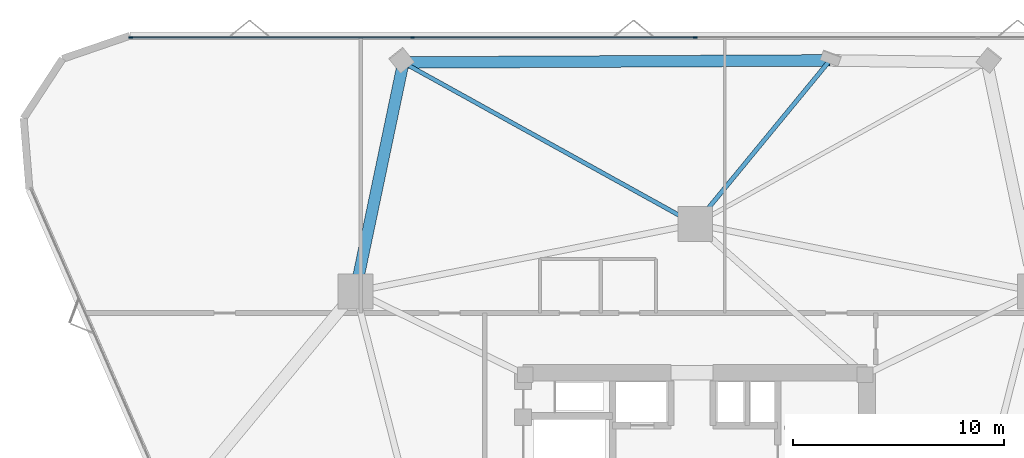
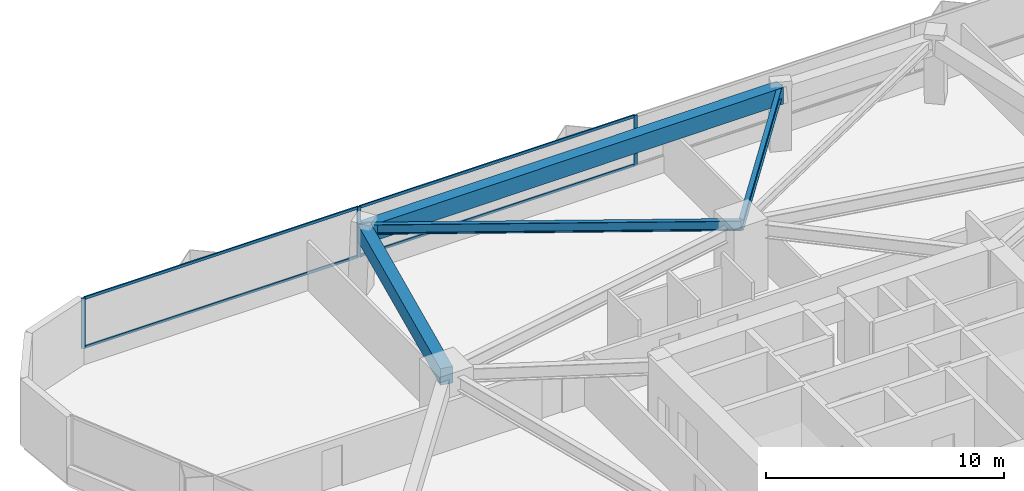
# One storey, part 11 of 19: 7 members, 4 beams, 1 element without a shape of its own.
"""IFC4 building model written with IfcOpenShell, lengths in metres."""

import ifcopenshell
import ifcopenshell.guid

model = None  # the IFC model being written
_history = None  # IfcOwnerHistory: only IFC2X3 demands one
_inside = {}  # id of a spatial element -> (the spatial element, [elements in it])
_under = {}  # id of a project, library or spatial element -> (it, [spatial elements below it])
_declared = {}  # id of a project -> (the project, [libraries it declares])
_typed = {}  # id of a type object -> (the type object, [elements of that type])
_made_of = {}  # id of a material, layer set ... -> (it, [elements and type objects made of it])


def new_model(schema):
    """Start an empty IFC model of exactly this schema.

    Asked for "IFC4X3", IfcOpenShell would pick the latest addendum, in which some entities
    have other attributes; the version numbers below select the first issue.
    IFC2X3 requires an IfcOwnerHistory on every rooted entity: one is made here for all.
    """
    global model, _history
    if schema == "IFC4X3":
        model = ifcopenshell.file(schema_version=(4, 3, 0, 0))
    else:
        model = ifcopenshell.file(schema=schema)
    _inside.clear()
    _under.clear()
    _declared.clear()
    _typed.clear()
    _made_of.clear()
    _history = None
    if model.schema == "IFC2X3":
        org = make("IfcOrganization", Name="unknown")
        user = make(
            "IfcPersonAndOrganization",
            ThePerson=make("IfcPerson", FamilyName="unknown"),
            TheOrganization=org,
        )
        app = make(
            "IfcApplication",
            ApplicationDeveloper=org,
            Version="unknown",
            ApplicationFullName="unknown",
            ApplicationIdentifier="unknown",
        )
        _history = make(
            "IfcOwnerHistory",
            OwningUser=user,
            OwningApplication=app,
            ChangeAction="ADDED",
            CreationDate=0,
        )
    return model


def make(cls, **values):
    """One entity of the class cls with the attributes given. An attribute that is None is left unset."""
    return model.create_entity(
        cls, **{name: value for name, value in values.items() if value is not None}
    )


def rooted(cls, **values):
    """An entity with a GlobalId (a new one), such as an element, a storey or a relation."""
    return make(cls, GlobalId=ifcopenshell.guid.new(), OwnerHistory=_history, **values)


def si_unit(unit_type, name, prefix=None):
    """IfcSIUnit, for example si_unit("LENGTHUNIT", "METRE", prefix="MILLI")."""
    return make("IfcSIUnit", UnitType=unit_type, Prefix=prefix, Name=name)


def assignment(units):
    """IfcUnitAssignment: the units of a project."""
    return None if units is None else make("IfcUnitAssignment", Units=units)


def point(xyz):
    """IfcCartesianPoint."""
    return None if xyz is None else make("IfcCartesianPoint", Coordinates=xyz)


def direction(xyz):
    """IfcDirection."""
    return None if xyz is None else make("IfcDirection", DirectionRatios=xyz)


def frame(location, z_axis=None, x_axis=None):
    """IfcAxis2Placement3D, a coordinate frame: its origin and axes. An axis left out is left unset."""
    return make(
        "IfcAxis2Placement3D",
        Location=point(location),
        Axis=direction(z_axis),
        RefDirection=direction(x_axis),
    )


def frame_2d(location, x_axis=None):
    """IfcAxis2Placement2D, a coordinate frame in the plane: its origin and x axis."""
    return make(
        "IfcAxis2Placement2D", Location=point(location), RefDirection=direction(x_axis)
    )


def origin():
    """The frame at (0, 0, 0) with its axes left unset."""
    return frame((0.0, 0.0, 0.0))


def origin_2d():
    """The frame at (0, 0) in the plane with its x axis left unset."""
    return frame_2d((0.0, 0.0))


def place(relative_to, where):
    """IfcLocalPlacement: puts the frame where relative to a parent placement (None: the world)."""
    return make(
        "IfcLocalPlacement", PlacementRelTo=relative_to, RelativePlacement=where
    )


def context(
    kind, dimensions, precision=None, world=None, true_north=None, identifier=None
):
    """IfcGeometricRepresentationContext, for example the 3D "Model" context."""
    return make(
        "IfcGeometricRepresentationContext",
        ContextIdentifier=identifier,
        ContextType=kind,
        CoordinateSpaceDimension=dimensions,
        Precision=precision,
        WorldCoordinateSystem=world,
        TrueNorth=true_north,
    )


def subcontext(parent, identifier, kind, view, scale=None):
    """IfcGeometricRepresentationSubContext, for example "Body" below "Model"."""
    return make(
        "IfcGeometricRepresentationSubContext",
        ContextIdentifier=identifier,
        ContextType=kind,
        ParentContext=parent,
        TargetScale=scale,
        TargetView=view,
    )


def project(units=None, contexts=None):
    """IfcProject with its units and contexts."""
    return rooted(
        "IfcProject",
        Name="project",
        RepresentationContexts=contexts,
        UnitsInContext=assignment(units),
    )


def spatial(cls, under=None, at=None, **own):
    """A site, building, storey or space (cls), placed at a placement, below another one or the project."""
    s = rooted(cls, ObjectPlacement=at, **own)
    if under is not None:
        _under.setdefault(under.id(), (under, []))[1].append(s)
    return s


def profile(cls, at=None, kind="AREA", **sizes):
    """A parametric profile (cls). Its sizes go by their IFC names, for example OverallWidth=200.0."""
    return make(cls, ProfileType=kind, Position=at, **sizes)


def rectangle(**sizes):
    """IfcRectangleProfileDef."""
    return profile("IfcRectangleProfileDef", **sizes)


def i_section(**sizes):
    """IfcIShapeProfileDef."""
    return profile("IfcIShapeProfileDef", **sizes)


def extrude(swept, where, along, depth):
    """IfcExtrudedAreaSolid: the profile swept, set in the frame where, extruded along a direction by depth."""
    return make(
        "IfcExtrudedAreaSolid",
        SweptArea=swept,
        Position=where,
        ExtrudedDirection=direction(along),
        Depth=depth,
    )


def shape(context_of_items, identifier, shape_type, items):
    """IfcShapeRepresentation: the items that make up one representation, for example the "Body"."""
    return make(
        "IfcShapeRepresentation",
        ContextOfItems=context_of_items,
        RepresentationIdentifier=identifier,
        RepresentationType=shape_type,
        Items=items,
    )


def material(Name=None, Category=None):
    """IfcMaterial."""
    return make("IfcMaterial", Name=Name, Category=Category)


def layer(
    of_material, thickness, ventilated=None, Name=None, Category=None, Priority=None
):
    """IfcMaterialLayer: one layer of a wall or slab, of a material (None: an air gap)."""
    return make(
        "IfcMaterialLayer",
        Material=of_material,
        LayerThickness=thickness,
        IsVentilated=ventilated,
        Name=Name,
        Category=Category,
        Priority=Priority,
    )


def layer_set(layers, Name=None):
    """IfcMaterialLayerSet."""
    return make("IfcMaterialLayerSet", MaterialLayers=layers, LayerSetName=Name)


def material_profile(
    of_material, cross_section, Name=None, Category=None, Priority=None
):
    """IfcMaterialProfile: a cross section and its material."""
    return make(
        "IfcMaterialProfile",
        Name=Name,
        Material=of_material,
        Profile=cross_section,
        Priority=Priority,
        Category=Category,
    )


def profile_set(profiles, Name=None, composite=None):
    """IfcMaterialProfileSet."""
    return make(
        "IfcMaterialProfileSet",
        Name=Name,
        MaterialProfiles=profiles,
        CompositeProfile=composite,
    )


def made_of(thing, what):
    """Note that an element or type object is made of a material, layer set ...; save() writes the relation."""
    if what is not None:
        _made_of.setdefault(what.id(), (what, []))[1].append(thing)
    return thing


def type_object(cls, material=None, **own):
    """A type object (cls), such as IfcWallType, which elements share."""
    return made_of(rooted(cls, **own), material)


def element(
    cls,
    number,
    at=None,
    inside=None,
    cuts=None,
    type_object=None,
    material=None,
    context=None,
    identifier="Body",
    shape_type=None,
    held_by="IfcProductDefinitionShape",
    body=None,
    shapes=None,
    **own,
):
    """One element of the class cls, such as IfcWall. Its Tag is "e" and its number.

    at: its placement. inside: the storey or other place that contains it. cuts: it is an
    opening in that element (IfcRelVoidsElement). A single representation is given by context,
    identifier, shape_type and body (its items); several are given by shapes. held_by: the class
    of the entity that holds the representations. save() writes the other relations.
    """
    e = rooted(cls, Tag="e%d" % number, ObjectPlacement=at, **own)
    if body is not None:
        shapes = [shape(context, identifier, shape_type, body)]
    if shapes is not None:
        e.Representation = make(held_by, Representations=shapes)
    if inside is not None:
        _inside.setdefault(inside.id(), (inside, []))[1].append(e)
    if cuts is not None:
        rooted(
            "IfcRelVoidsElement", RelatingBuildingElement=cuts, RelatedOpeningElement=e
        )
    if type_object is not None:
        _typed.setdefault(type_object.id(), (type_object, []))[1].append(e)
    return made_of(e, material)


def aggregate(whole, parts):
    """IfcRelAggregates: a whole, such as a stair, and the parts it consists of."""
    return rooted("IfcRelAggregates", RelatingObject=whole, RelatedObjects=parts)


def save(model, path):
    """Write the relations noted so far, then the file.

    IfcRelAggregates (storeys below a building ...), IfcRelContainedInSpatialStructure (elements
    in a storey), IfcRelDefinesByType, IfcRelAssociatesMaterial and IfcRelDeclares: one each for
    every whole, place, type object, material and project.
    """
    for whole, parts in _under.values():
        aggregate(whole, parts)
    for where, things in _inside.values():
        rooted(
            "IfcRelContainedInSpatialStructure",
            RelatedElements=things,
            RelatingStructure=where,
        )
    for kind, things in _typed.values():
        rooted("IfcRelDefinesByType", RelatedObjects=things, RelatingType=kind)
    for what, things in _made_of.values():
        rooted("IfcRelAssociatesMaterial", RelatedObjects=things, RelatingMaterial=what)
    for by, libraries in _declared.values():
        rooted("IfcRelDeclares", RelatingContext=by, RelatedDefinitions=libraries)
    model.write(path)


model = new_model("IFC4")

# Units and contexts
model_context = context("Model", 3, precision=1e-05, world=origin(), true_north=direction((0.0, 1.0)))
body_context = subcontext(model_context, "Body", "Model", "MODEL_VIEW")
ifc_project = project(units=[si_unit("LENGTHUNIT", "METRE"), si_unit("AREAUNIT", "SQUARE_METRE"), si_unit("VOLUMEUNIT", "CUBIC_METRE"), si_unit("PLANEANGLEUNIT", "RADIAN"), si_unit("MASSUNIT", "GRAM", prefix="KILO")], contexts=[model_context])

# Site, building, storey
site_placement = place(None, origin())
site = spatial("IfcSite", under=ifc_project, at=site_placement, CompositionType="ELEMENT")
building_placement = place(site_placement, origin())
building = spatial("IfcBuilding", under=site, at=building_placement, Name="Talyreon Biosciences Tower", CompositionType="ELEMENT")
storey_placement = place(building_placement, frame((0.0, 0.0, 82.300048828125)))
storey = spatial("IfcBuildingStorey", under=building, at=storey_placement, Name="L21", CompositionType="ELEMENT", Elevation=82.300048828125)

# Curtain wall, members
ifc_material_1 = material(Name="Thermally broken aluminium and low-E glazing", Category="aluminium")
ifc_layer = layer(ifc_material_1, 0.18994140625)
ifc_layer_set = layer_set([ifc_layer], Name="Thermally broken aluminium and low-E glazing")
curtain_wall_type = type_object("IfcCurtainWallType", Name="CurtainWall_Zone2Genomics", PredefinedType="NOTDEFINED", material=ifc_layer_set)
curtain_wall_placement = place(storey_placement, origin())
curtain_wall = element("IfcCurtainWall", 1, at=curtain_wall_placement, inside=storey, type_object=curtain_wall_type, Name="L21 Unitised Curtain Wall FCW-L21-04", PredefinedType="NOTDEFINED")
ifc_material_2 = material(Name="Anodised thermally broken aluminium", Category="aluminium")
ifc_material_profile_1 = material_profile(ifc_material_2, rectangle(XDim=0.06494140625, YDim=0.179931640625, at=origin_2d()), Name="ALUM MULLION 65x180")
ifc_profile_set_1 = profile_set([ifc_material_profile_1], Name="Anodised thermally broken aluminium")
member_type_1 = type_object("IfcMemberType", Name="CWMullion_65x180", PredefinedType="MULLION", material=ifc_profile_set_1)
member_1_placement = place(storey_placement, frame((39.247802734375, 90.64013671875, 0.81005859375), z_axis=(0.0, 0.0, 1.0), x_axis=(0.0, 1.0, 0.0)))
member_1 = element("IfcMember", 2, at=member_1_placement, type_object=member_type_1, Name="CW3 mullion 1", PredefinedType="MULLION", context=body_context, shape_type="SweptSolid", body=[
    extrude(rectangle(XDim=0.06494140625, YDim=0.179931640625, at=origin_2d()), origin(), (0.0, 0.0, 1.0), 2.56494140625),
])
member_2_placement = place(storey_placement, frame((52.607666015625, 90.64013671875, 0.81005859375), z_axis=(0.0, 0.0, 1.0), x_axis=(0.0, 1.0, 0.0)))
member_2 = element("IfcMember", 3, at=member_2_placement, type_object=member_type_1, Name="CW3 mullion 2", PredefinedType="MULLION", context=body_context, shape_type="SweptSolid", body=[
    extrude(rectangle(XDim=0.06494140625, YDim=0.179931640625, at=origin_2d()), origin(), (0.0, 0.0, 1.0), 2.56494140625),
])
member_3_placement = place(storey_placement, frame((66.0, 90.64013671875, 0.81005859375), z_axis=(0.0, 0.0, 1.0), x_axis=(0.0, 1.0, 0.0)))
member_3 = element("IfcMember", 4, at=member_3_placement, type_object=member_type_1, Name="CW3 mullion 3", PredefinedType="MULLION", context=body_context, shape_type="SweptSolid", body=[
    extrude(rectangle(XDim=0.06494140625, YDim=0.179931640625, at=origin_2d()), origin(), (0.0, 0.0, 1.0), 2.56494140625),
])
ifc_material_profile_2 = material_profile(ifc_material_2, rectangle(XDim=0.06494140625, YDim=0.139892578125, at=origin_2d()), Name="ALUM TRANSOM 65x140")
ifc_profile_set_2 = profile_set([ifc_material_profile_2], Name="Anodised thermally broken aluminium")
member_type_2 = type_object("IfcMemberType", Name="CWTransom_65x140", PredefinedType="USERDEFINED", material=ifc_profile_set_2)
member_4_placement = place(storey_placement, frame((39.280517578125, 90.64013671875, 0.842529296875), z_axis=(1.0, 0.0, 0.0), x_axis=(0.0, 1.0, 0.0)))
member_4 = element("IfcMember", 5, at=member_4_placement, type_object=member_type_2, Name="CW3 transom 1.1", ObjectType="TRANSOM", PredefinedType="USERDEFINED", context=body_context, shape_type="SweptSolid", body=[
    extrude(rectangle(XDim=0.06494140625, YDim=0.139892578125, at=origin_2d()), origin(), (0.0, 0.0, 1.0), 13.294677734375),
])
member_5_placement = place(storey_placement, frame((39.280517578125, 90.64013671875, 3.342529296875), z_axis=(1.0, 0.0, 0.0), x_axis=(0.0, 1.0, 0.0)))
member_5 = element("IfcMember", 6, at=member_5_placement, type_object=member_type_2, Name="CW3 transom 1.2", ObjectType="TRANSOM", PredefinedType="USERDEFINED", context=body_context, shape_type="SweptSolid", body=[
    extrude(rectangle(XDim=0.06494140625, YDim=0.139892578125, at=origin_2d()), origin(), (0.0, 0.0, 1.0), 13.294677734375),
])
member_6_placement = place(storey_placement, frame((52.64013671875, 90.64013671875, 0.842529296875), z_axis=(1.0, 0.0, 0.0), x_axis=(0.0, 1.0, 0.0)))
member_6 = element("IfcMember", 7, at=member_6_placement, type_object=member_type_2, Name="CW3 transom 2.1", ObjectType="TRANSOM", PredefinedType="USERDEFINED", context=body_context, shape_type="SweptSolid", body=[
    extrude(rectangle(XDim=0.06494140625, YDim=0.139892578125, at=origin_2d()), origin(), (0.0, 0.0, 1.0), 13.327392578125),
])
member_7_placement = place(storey_placement, frame((52.64013671875, 90.64013671875, 3.342529296875), z_axis=(1.0, 0.0, 0.0), x_axis=(0.0, 1.0, 0.0)))
member_7 = element("IfcMember", 8, at=member_7_placement, type_object=member_type_2, Name="CW3 transom 2.2", ObjectType="TRANSOM", PredefinedType="USERDEFINED", context=body_context, shape_type="SweptSolid", body=[
    extrude(rectangle(XDim=0.06494140625, YDim=0.139892578125, at=origin_2d()), origin(), (0.0, 0.0, 1.0), 13.327392578125),
])
aggregate(curtain_wall, [member_1, member_2, member_3, member_4, member_5, member_6, member_7])

# Beams
ifc_material_3 = material(Name="Precast concrete C45/55", Category="concrete")
ifc_material_profile_3 = material_profile(ifc_material_3, rectangle(XDim=0.550048828125, YDim=0.85009765625, at=origin_2d()), Name="RCB 550x850")
ifc_profile_set_3 = profile_set([ifc_material_profile_3], Name="Precast concrete C45/55")
beam_type_1 = type_object("IfcBeamType", Name="ExpressedSpandrel_550x850", PredefinedType="SPANDREL", material=ifc_profile_set_3)
beam_1_placement = place(storey_placement, frame((72.383056640625, 89.548095703125, 2.949951171875), z_axis=(-0.999987738531, -0.004952048758, 0.0), x_axis=(0.004952048758, -0.999987738531, 0.0)))
element("IfcBeam", 9, at=beam_1_placement, inside=storey, type_object=beam_type_1, Name="L21 Expressed Horizontal Concrete Spandrel 07", PredefinedType="SPANDREL", context=body_context, shape_type="SweptSolid", body=[
    extrude(rectangle(XDim=0.550048828125, YDim=0.85009765625, at=origin_2d()), origin(), (0.0, 0.0, 1.0), 20.21337890625),
])
beam_2_placement = place(storey_placement, frame((52.169921875, 89.447998046875, 2.949951171875), z_axis=(-0.204985830117, -0.978764940857, 0.0), x_axis=(0.978764940857, -0.204985830117, 0.0)))
element("IfcBeam", 10, at=beam_2_placement, inside=storey, type_object=beam_type_1, Name="L21 Expressed Horizontal Concrete Spandrel 08", PredefinedType="SPANDREL", context=body_context, shape_type="SweptSolid", body=[
    extrude(rectangle(XDim=0.550048828125, YDim=0.85009765625, at=origin_2d()), origin(), (0.0, 0.0, 1.0), 11.084716796875),
])
ifc_material_4 = material(Name="Steel SM355", Category="steel")
ifc_material_profile_4 = material_profile(ifc_material_4, i_section(OverallWidth=0.199951171875, OverallDepth=0.5, WebThickness=0.01025390625, FlangeThickness=0.01611328125, FilletRadius=0.02099609375, at=origin_2d()), Name="IPE500")
ifc_profile_set_4 = profile_set([ifc_material_profile_4], Name="Steel SM355")
beam_type_2 = type_object("IfcBeamType", Name="SteelJoist_IPE500", PredefinedType="JOIST", material=ifc_profile_set_4)
beam_3_placement = place(storey_placement, frame((66.0, 81.788818359375, 3.125), z_axis=(-0.874806258674, 0.484472919558, 0.0), x_axis=(-0.484472919558, -0.874806258674, 0.0)))
element("IfcBeam", 11, at=beam_3_placement, inside=storey, type_object=beam_type_2, Name="L21 Radial Composite Floor Joist PC-N2", PredefinedType="JOIST", context=body_context, shape_type="SweptSolid", body=[
    extrude(i_section(OverallWidth=0.199951171875, OverallDepth=0.5, WebThickness=0.01025390625, FlangeThickness=0.01611328125, FilletRadius=0.02099609375, at=origin_2d()), origin(), (0.0, 0.0, 1.0), 15.809326171875),
])
ifc_material_profile_5 = material_profile(ifc_material_4, i_section(OverallWidth=0.2099609375, OverallDepth=0.550048828125, WebThickness=0.010986328125, FlangeThickness=0.01708984375, FilletRadius=0.02392578125, at=origin_2d()), Name="IPE550")
ifc_profile_set_5 = profile_set([ifc_material_profile_5], Name="Steel SM355")
beam_type_3 = type_object("IfcBeamType", Name="SteelJoist_IPE550", PredefinedType="JOIST", material=ifc_profile_set_5)
beam_4_placement = place(storey_placement, frame((66.0, 81.788818359375, 3.099853515625), z_axis=(0.635295784041, 0.772268908334, 0.0), x_axis=(-0.772268908334, 0.635295784041, 0.0)))
element("IfcBeam", 12, at=beam_4_placement, inside=storey, type_object=beam_type_3, Name="L21 Radial Composite Floor Joist PL-N", PredefinedType="JOIST", context=body_context, shape_type="SweptSolid", body=[
    extrude(i_section(OverallWidth=0.2099609375, OverallDepth=0.550048828125, WebThickness=0.010986328125, FlangeThickness=0.01708984375, FilletRadius=0.02392578125, at=origin_2d()), origin(), (0.0, 0.0, 1.0), 10.04736328125),
])

save(model, "model.ifc")
